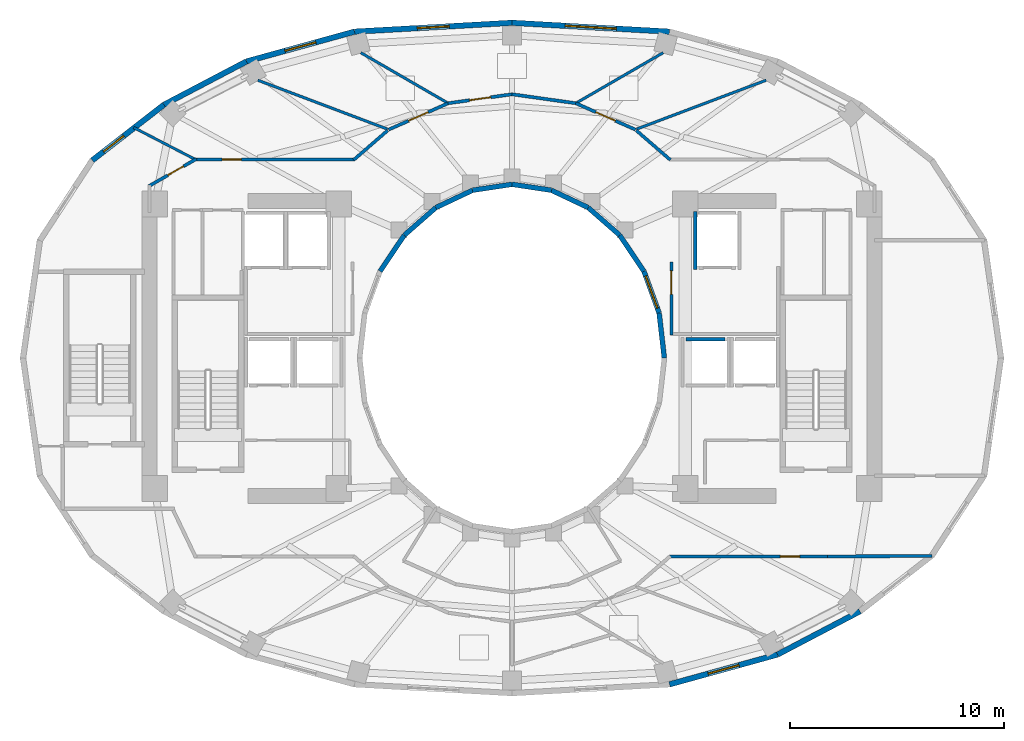
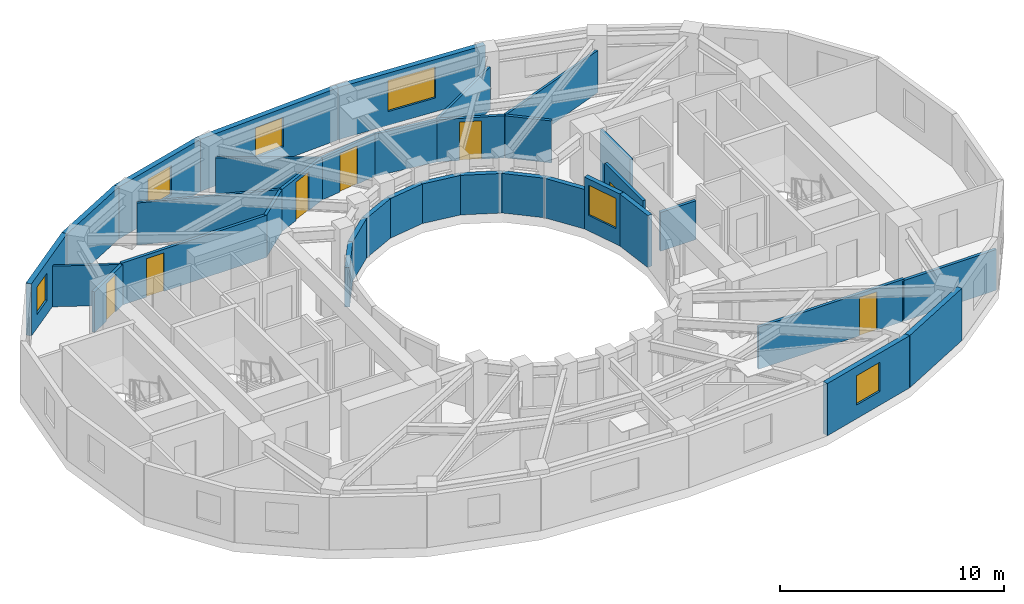
# One storey, part 5 of 9: 35 walls, 7 doors, 6 windows, 13 openings.
"""IFC4 building model written with IfcOpenShell, lengths in metres."""

import ifcopenshell
import ifcopenshell.guid

model = None  # the IFC model being written
_history = None  # IfcOwnerHistory: only IFC2X3 demands one
_inside = {}  # id of a spatial element -> (the spatial element, [elements in it])
_under = {}  # id of a project, library or spatial element -> (it, [spatial elements below it])
_declared = {}  # id of a project -> (the project, [libraries it declares])
_typed = {}  # id of a type object -> (the type object, [elements of that type])
_made_of = {}  # id of a material, layer set ... -> (it, [elements and type objects made of it])


def new_model(schema):
    """Start an empty IFC model of exactly this schema.

    Asked for "IFC4X3", IfcOpenShell would pick the latest addendum, in which some entities
    have other attributes; the version numbers below select the first issue.
    IFC2X3 requires an IfcOwnerHistory on every rooted entity: one is made here for all.
    """
    global model, _history
    if schema == "IFC4X3":
        model = ifcopenshell.file(schema_version=(4, 3, 0, 0))
    else:
        model = ifcopenshell.file(schema=schema)
    _inside.clear()
    _under.clear()
    _declared.clear()
    _typed.clear()
    _made_of.clear()
    _history = None
    if model.schema == "IFC2X3":
        org = make("IfcOrganization", Name="unknown")
        user = make(
            "IfcPersonAndOrganization",
            ThePerson=make("IfcPerson", FamilyName="unknown"),
            TheOrganization=org,
        )
        app = make(
            "IfcApplication",
            ApplicationDeveloper=org,
            Version="unknown",
            ApplicationFullName="unknown",
            ApplicationIdentifier="unknown",
        )
        _history = make(
            "IfcOwnerHistory",
            OwningUser=user,
            OwningApplication=app,
            ChangeAction="ADDED",
            CreationDate=0,
        )
    return model


def make(cls, **values):
    """One entity of the class cls with the attributes given. An attribute that is None is left unset."""
    return model.create_entity(
        cls, **{name: value for name, value in values.items() if value is not None}
    )


def rooted(cls, **values):
    """An entity with a GlobalId (a new one), such as an element, a storey or a relation."""
    return make(cls, GlobalId=ifcopenshell.guid.new(), OwnerHistory=_history, **values)


def si_unit(unit_type, name, prefix=None):
    """IfcSIUnit, for example si_unit("LENGTHUNIT", "METRE", prefix="MILLI")."""
    return make("IfcSIUnit", UnitType=unit_type, Prefix=prefix, Name=name)


def assignment(units):
    """IfcUnitAssignment: the units of a project."""
    return None if units is None else make("IfcUnitAssignment", Units=units)


def point(xyz):
    """IfcCartesianPoint."""
    return None if xyz is None else make("IfcCartesianPoint", Coordinates=xyz)


def direction(xyz):
    """IfcDirection."""
    return None if xyz is None else make("IfcDirection", DirectionRatios=xyz)


def frame(location, z_axis=None, x_axis=None):
    """IfcAxis2Placement3D, a coordinate frame: its origin and axes. An axis left out is left unset."""
    return make(
        "IfcAxis2Placement3D",
        Location=point(location),
        Axis=direction(z_axis),
        RefDirection=direction(x_axis),
    )


def frame_2d(location, x_axis=None):
    """IfcAxis2Placement2D, a coordinate frame in the plane: its origin and x axis."""
    return make(
        "IfcAxis2Placement2D", Location=point(location), RefDirection=direction(x_axis)
    )


def origin():
    """The frame at (0, 0, 0) with its axes left unset."""
    return frame((0.0, 0.0, 0.0))


def place(relative_to, where):
    """IfcLocalPlacement: puts the frame where relative to a parent placement (None: the world)."""
    return make(
        "IfcLocalPlacement", PlacementRelTo=relative_to, RelativePlacement=where
    )


def context(
    kind, dimensions, precision=None, world=None, true_north=None, identifier=None
):
    """IfcGeometricRepresentationContext, for example the 3D "Model" context."""
    return make(
        "IfcGeometricRepresentationContext",
        ContextIdentifier=identifier,
        ContextType=kind,
        CoordinateSpaceDimension=dimensions,
        Precision=precision,
        WorldCoordinateSystem=world,
        TrueNorth=true_north,
    )


def subcontext(parent, identifier, kind, view, scale=None):
    """IfcGeometricRepresentationSubContext, for example "Body" below "Model"."""
    return make(
        "IfcGeometricRepresentationSubContext",
        ContextIdentifier=identifier,
        ContextType=kind,
        ParentContext=parent,
        TargetScale=scale,
        TargetView=view,
    )


def project(units=None, contexts=None):
    """IfcProject with its units and contexts."""
    return rooted(
        "IfcProject",
        Name="project",
        RepresentationContexts=contexts,
        UnitsInContext=assignment(units),
    )


def spatial(cls, under=None, at=None, **own):
    """A site, building, storey or space (cls), placed at a placement, below another one or the project."""
    s = rooted(cls, ObjectPlacement=at, **own)
    if under is not None:
        _under.setdefault(under.id(), (under, []))[1].append(s)
    return s


def profile(cls, at=None, kind="AREA", **sizes):
    """A parametric profile (cls). Its sizes go by their IFC names, for example OverallWidth=200.0."""
    return make(cls, ProfileType=kind, Position=at, **sizes)


def rectangle(**sizes):
    """IfcRectangleProfileDef."""
    return profile("IfcRectangleProfileDef", **sizes)


def extrude(swept, where, along, depth):
    """IfcExtrudedAreaSolid: the profile swept, set in the frame where, extruded along a direction by depth."""
    return make(
        "IfcExtrudedAreaSolid",
        SweptArea=swept,
        Position=where,
        ExtrudedDirection=direction(along),
        Depth=depth,
    )


def shape(context_of_items, identifier, shape_type, items):
    """IfcShapeRepresentation: the items that make up one representation, for example the "Body"."""
    return make(
        "IfcShapeRepresentation",
        ContextOfItems=context_of_items,
        RepresentationIdentifier=identifier,
        RepresentationType=shape_type,
        Items=items,
    )


def material(Name=None, Category=None):
    """IfcMaterial."""
    return make("IfcMaterial", Name=Name, Category=Category)


def layer(
    of_material, thickness, ventilated=None, Name=None, Category=None, Priority=None
):
    """IfcMaterialLayer: one layer of a wall or slab, of a material (None: an air gap)."""
    return make(
        "IfcMaterialLayer",
        Material=of_material,
        LayerThickness=thickness,
        IsVentilated=ventilated,
        Name=Name,
        Category=Category,
        Priority=Priority,
    )


def layer_set(layers, Name=None):
    """IfcMaterialLayerSet."""
    return make("IfcMaterialLayerSet", MaterialLayers=layers, LayerSetName=Name)


def made_of(thing, what):
    """Note that an element or type object is made of a material, layer set ...; save() writes the relation."""
    if what is not None:
        _made_of.setdefault(what.id(), (what, []))[1].append(thing)
    return thing


def type_object(cls, material=None, **own):
    """A type object (cls), such as IfcWallType, which elements share."""
    return made_of(rooted(cls, **own), material)


def element(
    cls,
    number,
    at=None,
    inside=None,
    cuts=None,
    type_object=None,
    material=None,
    context=None,
    identifier="Body",
    shape_type=None,
    held_by="IfcProductDefinitionShape",
    body=None,
    shapes=None,
    **own,
):
    """One element of the class cls, such as IfcWall. Its Tag is "e" and its number.

    at: its placement. inside: the storey or other place that contains it. cuts: it is an
    opening in that element (IfcRelVoidsElement). A single representation is given by context,
    identifier, shape_type and body (its items); several are given by shapes. held_by: the class
    of the entity that holds the representations. save() writes the other relations.
    """
    e = rooted(cls, Tag="e%d" % number, ObjectPlacement=at, **own)
    if body is not None:
        shapes = [shape(context, identifier, shape_type, body)]
    if shapes is not None:
        e.Representation = make(held_by, Representations=shapes)
    if inside is not None:
        _inside.setdefault(inside.id(), (inside, []))[1].append(e)
    if cuts is not None:
        rooted(
            "IfcRelVoidsElement", RelatingBuildingElement=cuts, RelatedOpeningElement=e
        )
    if type_object is not None:
        _typed.setdefault(type_object.id(), (type_object, []))[1].append(e)
    return made_of(e, material)


def fill(opening, filler):
    """IfcRelFillsElement: the door or window that sits in an opening."""
    return rooted(
        "IfcRelFillsElement",
        RelatingOpeningElement=opening,
        RelatedBuildingElement=filler,
    )


def aggregate(whole, parts):
    """IfcRelAggregates: a whole, such as a stair, and the parts it consists of."""
    return rooted("IfcRelAggregates", RelatingObject=whole, RelatedObjects=parts)


def save(model, path):
    """Write the relations noted so far, then the file.

    IfcRelAggregates (storeys below a building ...), IfcRelContainedInSpatialStructure (elements
    in a storey), IfcRelDefinesByType, IfcRelAssociatesMaterial and IfcRelDeclares: one each for
    every whole, place, type object, material and project.
    """
    for whole, parts in _under.values():
        aggregate(whole, parts)
    for where, things in _inside.values():
        rooted(
            "IfcRelContainedInSpatialStructure",
            RelatedElements=things,
            RelatingStructure=where,
        )
    for kind, things in _typed.values():
        rooted("IfcRelDefinesByType", RelatedObjects=things, RelatingType=kind)
    for what, things in _made_of.values():
        rooted("IfcRelAssociatesMaterial", RelatedObjects=things, RelatingMaterial=what)
    for by, libraries in _declared.values():
        rooted("IfcRelDeclares", RelatingContext=by, RelatedDefinitions=libraries)
    model.write(path)


model = new_model("IFC4")

# Units and contexts
model_context = context("Model", 3, precision=1e-05, world=origin(), true_north=direction((0.0, 1.0)))
body_context = subcontext(model_context, "Body", "Model", "MODEL_VIEW")
ifc_project = project(units=[si_unit("LENGTHUNIT", "METRE"), si_unit("AREAUNIT", "SQUARE_METRE"), si_unit("VOLUMEUNIT", "CUBIC_METRE"), si_unit("PLANEANGLEUNIT", "RADIAN"), si_unit("MASSUNIT", "GRAM", prefix="KILO")], contexts=[model_context])

# Site, building, storey
site_placement = place(None, origin())
site = spatial("IfcSite", under=ifc_project, at=site_placement, CompositionType="ELEMENT")
building_placement = place(site_placement, origin())
building = spatial("IfcBuilding", under=site, at=building_placement, Name="Solvane Sanctuary Tower", CompositionType="ELEMENT")
storey_placement = place(building_placement, frame((0.0, 0.0, 162.199951171875)))
storey = spatial("IfcBuildingStorey", under=building, at=storey_placement, Name="L49", CompositionType="ELEMENT", Elevation=162.199951171875)

# Wall, opening, door
ifc_material_1 = material(Name="Acoustic Gypsum Partition Board")
ifc_layer_1 = layer(ifc_material_1, 0.14990234375, Name="Acoustic Gypsum Partition Board")
ifc_layer_set_1 = layer_set([ifc_layer_1], Name="Acoustic Gypsum Partition Board")
wall_type_1 = type_object("IfcWallType", Name="Wall W-CORR-150", PredefinedType="PARTITIONING", material=ifc_layer_set_1)
wall_1_placement = place(storey_placement, frame((39.449951171875, 24.080078125, 0.0), z_axis=(0.0, 0.0, 1.0), x_axis=(0.0, 1.0, 0.0)))
wall_1 = element("IfcWall", 1, at=wall_1_placement, inside=storey, type_object=wall_type_1, Name="L49 East Firefighting Lobby West Wall", PredefinedType="PARTITIONING", context=body_context, shape_type="SweptSolid", body=[
    extrude(rectangle(XDim=3.39990234375, YDim=0.14990234375, at=frame_2d((1.699951171875, 0.0))), origin(), (0.0, 0.0, 1.0), 2.85498046875),
])
opening_1_placement = place(wall_1_placement, frame((1.893798828125, 0.0, 0.0)))
opening_1 = element("IfcOpeningElement", 2, at=opening_1_placement, cuts=wall_1, Name="Opening D-L49-05", PredefinedType="OPENING", context=body_context, shape_type="SweptSolid", body=[
    extrude(rectangle(XDim=1.10009765625, YDim=2.10009765625, at=frame_2d((0.550048828125, 1.050048828125))), frame((0.0, 0.0849609375, 0.0), z_axis=(0.0, -1.0, 0.0), x_axis=(1.0, 0.0, 0.0)), (0.0, 0.0, 1.0), 0.169921875),
])
ifc_material_2 = material(Name="Architectural Stainless Steel 316", Category="steel")
door_type_1 = type_object("IfcDoorType", Name="Door D-FFL", OperationType="NOTDEFINED", PredefinedType="DOOR", material=ifc_material_2)
door_1_placement = place(opening_1_placement, origin())
door_1 = element("IfcDoor", 3, at=door_1_placement, inside=storey, type_object=door_type_1, Name="L49 East Firefighting Lobby Fire Door", OperationType="SINGLE_SWING_RIGHT", OverallHeight=2.10009765625, OverallWidth=1.10009765625, PredefinedType="DOOR", context=body_context, shape_type="SweptSolid", body=[
    extrude(rectangle(XDim=1.10009765625, YDim=2.10009765625, at=frame_2d((0.550048828125, 1.050048828125))), frame((0.0, 0.02490234375, 0.0), z_axis=(0.0, -1.0, 0.0), x_axis=(1.0, 0.0, 0.0)), (0.0, 0.0, 1.0), 0.050048828125),
])
fill(opening_1, door_1)

# Walls
for number, where, z_axis, x_axis, name in (
    (4, (37.806640625, 33.64208984375, 0.0), (0.0, 0.0, 1.0), (0.756055312247, -0.654507727092, 0.0), "L49 NE Corner Throat Wall"),
    (5, (26.193359375, 33.64208984375, 0.0), (0.0, 0.0, 1.0), (-0.756055312247, -0.654507727092, 0.0), "L49 NW Corner Throat Wall"),
):
    element("IfcWall", number, at=place(storey_placement, frame(where, z_axis=z_axis, x_axis=x_axis)), inside=storey, type_object=wall_type_1, Name=name, PredefinedType="PARTITIONING", context=body_context, shape_type="SweptSolid", body=[
        extrude(rectangle(XDim=2.11083984375, YDim=0.14990234375, at=frame_2d((1.055419921875, 0.0))), origin(), (0.0, 0.0, 1.0), 2.299072265625),
    ])

# Wall, opening, door
wall_2_placement = place(storey_placement, frame((17.14990234375, 32.280029296875, 0.0), z_axis=(0.0, 0.0, 1.0), x_axis=(1.0, 0.0, 0.0)))
wall_2 = element("IfcWall", 6, at=wall_2_placement, inside=storey, type_object=wall_type_1, Name="L49 NW Corner Corridor Wall", PredefinedType="PARTITIONING", context=body_context, shape_type="SweptSolid", body=[
    extrude(rectangle(XDim=7.52001953125, YDim=0.14990234375, at=frame_2d((3.760009765625, 0.0))), origin(), (0.0, 0.0, 1.0), 2.299072265625),
])
opening_2_placement = place(wall_2_placement, frame((1.300048828125, 0.0, 0.0)))
opening_2 = element("IfcOpeningElement", 7, at=opening_2_placement, cuts=wall_2, Name="Opening D-L49-14", PredefinedType="OPENING", context=body_context, shape_type="SweptSolid", body=[
    extrude(rectangle(XDim=0.89990234375, YDim=2.10009765625, at=frame_2d((0.449951171875, 1.050048828125))), frame((0.0, 0.0849609375, 0.0), z_axis=(0.0, -1.0, 0.0), x_axis=(1.0, 0.0, 0.0)), (0.0, 0.0, 1.0), 0.169921875),
])
ifc_material_3 = material(Name="Engineered Tropical Hardwood", Category="wood")
door_type_2 = type_object("IfcDoorType", Name="Door D-WET-900", OperationType="NOTDEFINED", PredefinedType="DOOR", material=ifc_material_3)
door_2_placement = place(opening_2_placement, origin())
door_2 = element("IfcDoor", 8, at=door_2_placement, inside=storey, type_object=door_type_2, Name="L49 NW Corner Salon Door", OperationType="SINGLE_SWING_LEFT", OverallHeight=2.10009765625, OverallWidth=0.89990234375, PredefinedType="DOOR", context=body_context, shape_type="SweptSolid", body=[
    extrude(rectangle(XDim=0.89990234375, YDim=2.10009765625, at=frame_2d((0.449951171875, 1.050048828125))), frame((0.0, 0.02490234375, 0.0), z_axis=(0.0, -1.0, 0.0), x_axis=(1.0, 0.0, 0.0)), (0.0, 0.0, 1.0), 0.050048828125),
])
fill(opening_2, door_2)

wall_3_placement = place(storey_placement, frame((17.243408203125, 32.3046875, 0.0), z_axis=(0.0, 0.0, 1.0), x_axis=(-0.867991349648, -0.496579315857, 0.0)))
wall_3 = element("IfcWall", 9, at=wall_3_placement, inside=storey, type_object=wall_type_1, Name="L49 NW Corner Wing Wall", PredefinedType="PARTITIONING", context=body_context, shape_type="SweptSolid", body=[
    extrude(rectangle(XDim=2.56689453125, YDim=0.14990234375, at=frame_2d((1.283447265625, 0.0))), origin(), (0.0, 0.0, 1.0), 2.219970703125),
])
opening_3_placement = place(wall_3_placement, frame((0.68798828125, 0.0, 0.0)))
opening_3 = element("IfcOpeningElement", 10, at=opening_3_placement, cuts=wall_3, Name="Opening D-L49-15", PredefinedType="OPENING", context=body_context, shape_type="SweptSolid", body=[
    extrude(rectangle(XDim=0.85009765625, YDim=2.050048828125, at=frame_2d((0.425048828125, 1.02490234375))), frame((0.0, 0.0849609375, 0.0), z_axis=(0.0, -1.0, 0.0), x_axis=(1.0, 0.0, 0.0)), (0.0, 0.0, 1.0), 0.169921875),
])
door_type_3 = type_object("IfcDoorType", Name="Door D-RISER", OperationType="NOTDEFINED", PredefinedType="DOOR", material=ifc_material_2)
door_3_placement = place(opening_3_placement, origin())
door_3 = element("IfcDoor", 11, at=door_3_placement, inside=storey, type_object=door_type_3, Name="L49 NW Corner Suite Door", OperationType="SINGLE_SWING_RIGHT", OverallHeight=2.050048828125, OverallWidth=0.85009765625, PredefinedType="DOOR", context=body_context, shape_type="SweptSolid", body=[
    extrude(rectangle(XDim=0.85009765625, YDim=2.050048828125, at=frame_2d((0.425048828125, 1.02490234375))), frame((0.0, 0.02490234375, 0.0), z_axis=(0.0, -1.0, 0.0), x_axis=(1.0, 0.0, 0.0)), (0.0, 0.0, 1.0), 0.050048828125),
])
fill(opening_3, door_3)

wall_4_placement = place(storey_placement, frame((39.330078125, 13.719970703125, 0.0), z_axis=(0.0, 0.0, 1.0), x_axis=(1.0, 0.0, 0.0)))
wall_4 = element("IfcWall", 12, at=wall_4_placement, inside=storey, type_object=wall_type_1, Name="L49 SE Corner Corridor Wall", PredefinedType="PARTITIONING", context=body_context, shape_type="SweptSolid", body=[
    extrude(rectangle(XDim=7.52001953125, YDim=0.14990234375, at=frame_2d((3.760009765625, 0.0))), origin(), (0.0, 0.0, 1.0), 2.299072265625),
])
opening_4_placement = place(wall_4_placement, frame((5.219970703125, 0.0, 0.0)))
opening_4 = element("IfcOpeningElement", 13, at=opening_4_placement, cuts=wall_4, Name="Opening D-L49-18", PredefinedType="OPENING", context=body_context, shape_type="SweptSolid", body=[
    extrude(rectangle(XDim=0.89990234375, YDim=2.10009765625, at=frame_2d((0.449951171875, 1.050048828125))), frame((0.0, 0.0849609375, 0.0), z_axis=(0.0, -1.0, 0.0), x_axis=(1.0, 0.0, 0.0)), (0.0, 0.0, 1.0), 0.169921875),
])
door_4_placement = place(opening_4_placement, origin())
door_4 = element("IfcDoor", 14, at=door_4_placement, inside=storey, type_object=door_type_2, Name="L49 SE Corner Salon Door", OperationType="SINGLE_SWING_LEFT", OverallHeight=2.10009765625, OverallWidth=0.89990234375, PredefinedType="DOOR", context=body_context, shape_type="SweptSolid", body=[
    extrude(rectangle(XDim=0.89990234375, YDim=2.10009765625, at=frame_2d((0.449951171875, 1.050048828125))), frame((0.0, 0.02490234375, 0.0), z_axis=(0.0, -1.0, 0.0), x_axis=(1.0, 0.0, 0.0)), (0.0, 0.0, 1.0), 0.050048828125),
])
fill(opening_4, door_4)

# Wall
wall_5_placement = place(storey_placement, frame((46.75, 13.7197265625, 0.0), z_axis=(0.0, 0.0, 1.0), x_axis=(0.999981712056, 0.006047772638, 0.0)))
element("IfcWall", 15, at=wall_5_placement, inside=storey, type_object=wall_type_1, Name="L49 SE Corner Wing Wall", PredefinedType="PARTITIONING", context=body_context, shape_type="SweptSolid", body=[
    extrude(rectangle(XDim=4.884521484375, YDim=0.14990234375, at=frame_2d((2.4423828125, 0.0))), origin(), (0.0, 0.0, 1.0), 2.219970703125),
])

# Wall, opening, door
wall_6_placement = place(storey_placement, frame((37.77197265625, 33.673828125, 0.0), z_axis=(0.0, 0.0, 1.0), x_axis=(-0.914324470734, 0.404982422108, 0.0)))
wall_6 = element("IfcWall", 16, at=wall_6_placement, inside=storey, type_object=wall_type_1, Name="L49 Unit Corridor Wall N1", PredefinedType="PARTITIONING", context=body_context, shape_type="SweptSolid", body=[
    extrude(rectangle(XDim=3.0576171875, YDim=0.14990234375, at=frame_2d((1.52880859375, 0.0))), origin(), (0.0, 0.0, 1.0), 2.299072265625),
])
opening_5_placement = place(wall_6_placement, frame((1.02880859375, 0.0, 0.0)))
opening_5 = element("IfcOpeningElement", 17, at=opening_5_placement, cuts=wall_6, Name="Opening D-L49-20", PredefinedType="OPENING", context=body_context, shape_type="SweptSolid", body=[
    extrude(rectangle(XDim=1.0, YDim=2.10009765625, at=frame_2d((0.5, 1.050048828125))), frame((0.0, 0.0849609375, 0.0), z_axis=(0.0, -1.0, 0.0), x_axis=(1.0, 0.0, 0.0)), (0.0, 0.0, 1.0), 0.169921875),
])
door_type_4 = type_object("IfcDoorType", Name="Door D-UNIT", OperationType="NOTDEFINED", PredefinedType="DOOR", material=ifc_material_3)
door_5_placement = place(opening_5_placement, origin())
door_5 = element("IfcDoor", 18, at=door_5_placement, inside=storey, type_object=door_type_4, Name="L49 Unit Entrance Door N1", OperationType="SINGLE_SWING_LEFT", OverallHeight=2.10009765625, OverallWidth=1.0, PredefinedType="DOOR", context=body_context, shape_type="SweptSolid", body=[
    extrude(rectangle(XDim=1.0, YDim=2.10009765625, at=frame_2d((0.5, 1.050048828125))), frame((0.0, 0.02490234375, 0.0), z_axis=(0.0, -1.0, 0.0), x_axis=(1.0, 0.0, 0.0)), (0.0, 0.0, 1.0), 0.050048828125),
])
fill(opening_5, door_5)

# Wall
wall_7_placement = place(storey_placement, frame((34.991943359375, 34.90771484375, 0.0), z_axis=(0.0, 0.0, 1.0), x_axis=(-0.990234341072, 0.139412875167, 0.0)))
element("IfcWall", 19, at=wall_7_placement, inside=storey, type_object=wall_type_1, Name="L49 Unit Corridor Wall N2", PredefinedType="PARTITIONING", context=body_context, shape_type="SweptSolid", body=[
    extrude(rectangle(XDim=3.029541015625, YDim=0.14990234375, at=frame_2d((1.5146484375, 0.0))), origin(), (0.0, 0.0, 1.0), 2.299072265625),
])

# Wall, opening, door
wall_8_placement = place(storey_placement, frame((32.008056640625, 35.330078125, 0.0), z_axis=(0.0, 0.0, 1.0), x_axis=(-0.990234341072, -0.139412875167, 0.0)))
wall_8 = element("IfcWall", 20, at=wall_8_placement, inside=storey, type_object=wall_type_1, Name="L49 Unit Corridor Wall N2", PredefinedType="PARTITIONING", context=body_context, shape_type="SweptSolid", body=[
    extrude(rectangle(XDim=3.029541015625, YDim=0.14990234375, at=frame_2d((1.5146484375, 0.0))), origin(), (0.0, 0.0, 1.0), 2.299072265625),
])
opening_6_placement = place(wall_8_placement, frame((1.014892578125, 0.0, 0.0)))
opening_6 = element("IfcOpeningElement", 21, at=opening_6_placement, cuts=wall_8, Name="Opening D-L49-21", PredefinedType="OPENING", context=body_context, shape_type="SweptSolid", body=[
    extrude(rectangle(XDim=1.0, YDim=2.10009765625, at=frame_2d((0.5, 1.050048828125))), frame((0.0, 0.0849609375, 0.0), z_axis=(0.0, -1.0, 0.0), x_axis=(1.0, 0.0, 0.0)), (0.0, 0.0, 1.0), 0.169921875),
])
door_6_placement = place(opening_6_placement, origin())
door_6 = element("IfcDoor", 22, at=door_6_placement, inside=storey, type_object=door_type_4, Name="L49 Unit Entrance Door N2", OperationType="SINGLE_SWING_RIGHT", OverallHeight=2.10009765625, OverallWidth=1.0, PredefinedType="DOOR", context=body_context, shape_type="SweptSolid", body=[
    extrude(rectangle(XDim=1.0, YDim=2.10009765625, at=frame_2d((0.5, 1.050048828125))), frame((0.0, 0.02490234375, 0.0), z_axis=(0.0, -1.0, 0.0), x_axis=(1.0, 0.0, 0.0)), (0.0, 0.0, 1.0), 0.050048828125),
])
fill(opening_6, door_6)

wall_9_placement = place(storey_placement, frame((29.023681640625, 34.912109375, 0.0), z_axis=(0.0, 0.0, 1.0), x_axis=(-0.914324470734, -0.404982422108, 0.0)))
wall_9 = element("IfcWall", 23, at=wall_9_placement, inside=storey, type_object=wall_type_1, Name="L49 Unit Corridor Wall N3", PredefinedType="PARTITIONING", context=body_context, shape_type="SweptSolid", body=[
    extrude(rectangle(XDim=3.0576171875, YDim=0.14990234375, at=frame_2d((1.52880859375, 0.0))), origin(), (0.0, 0.0, 1.0), 2.299072265625),
])
opening_7_placement = place(wall_9_placement, frame((1.02880859375, 0.0, 0.0)))
opening_7 = element("IfcOpeningElement", 24, at=opening_7_placement, cuts=wall_9, Name="Opening D-L49-22", PredefinedType="OPENING", context=body_context, shape_type="SweptSolid", body=[
    extrude(rectangle(XDim=1.0, YDim=2.10009765625, at=frame_2d((0.5, 1.050048828125))), frame((0.0, 0.0849609375, 0.0), z_axis=(0.0, -1.0, 0.0), x_axis=(1.0, 0.0, 0.0)), (0.0, 0.0, 1.0), 0.169921875),
])
door_7_placement = place(opening_7_placement, origin())
door_7 = element("IfcDoor", 25, at=door_7_placement, inside=storey, type_object=door_type_4, Name="L49 Unit Entrance Door N3", OperationType="SINGLE_SWING_LEFT", OverallHeight=2.10009765625, OverallWidth=1.0, PredefinedType="DOOR", context=body_context, shape_type="SweptSolid", body=[
    extrude(rectangle(XDim=1.0, YDim=2.10009765625, at=frame_2d((0.5, 1.050048828125))), frame((0.0, 0.02490234375, 0.0), z_axis=(0.0, -1.0, 0.0), x_axis=(1.0, 0.0, 0.0)), (0.0, 0.0, 1.0), 0.050048828125),
])
fill(opening_7, door_7)

# Wall, opening, window
ifc_material_4 = material(Name="Precast concrete C40/50", Category="concrete")
ifc_layer_2 = layer(ifc_material_4, 0.260009765625, Name="Precast concrete C40/50")
ifc_layer_set_2 = layer_set([ifc_layer_2], Name="Precast concrete C40/50")
wall_type_2 = type_object("IfcWallType", Name="Wall W-EXT-250", PredefinedType="STANDARD", material=ifc_layer_set_2)
wall_10_placement = place(storey_placement, frame((39.365234375, 38.256591796875, 0.0), z_axis=(0.0, 0.0, 1.0), x_axis=(-0.998417906562, 0.056228852534, 0.0)))
wall_10 = element("IfcWall", 26, at=wall_10_placement, inside=storey, type_object=wall_type_2, Name="L49 Ceramic-Printed Facade Wall 05", PredefinedType="STANDARD", context=body_context, shape_type="SweptSolid", body=[
    extrude(rectangle(XDim=7.376953125, YDim=0.260009765625, at=frame_2d((3.6884765625, 0.0))), origin(), (0.0, 0.0, 1.0), 2.85009765625),
])
opening_8_placement = place(wall_10_placement, frame((2.48828125, 0.0, 0.75)))
opening_8 = element("IfcOpeningElement", 27, at=opening_8_placement, cuts=wall_10, Name="Opening WN-RIB-2400", PredefinedType="OPENING", context=body_context, shape_type="SweptSolid", body=[
    extrude(rectangle(XDim=2.39990234375, YDim=1.699951171875, at=frame_2d((1.199951171875, 0.85009765625))), frame((0.0, 0.139892578125, 0.0), z_axis=(0.0, -1.0, 0.0), x_axis=(1.0, 0.0, 0.0)), (0.0, 0.0, 1.0), 0.280029296875),
])
ifc_material_5 = material(Name="Dark Ceramic-Fritted Low-E Glass", Category="glass")
window_type_1 = type_object("IfcWindowType", Name="Window WN-RIB-2400", PartitioningType="SINGLE_PANEL", PredefinedType="WINDOW", material=ifc_material_5)
window_1_placement = place(opening_8_placement, origin())
window_1 = element("IfcWindow", 28, at=window_1_placement, inside=storey, type_object=window_type_1, Name="L49 Operable Facade Window 05", OverallHeight=1.699951171875, OverallWidth=2.39990234375, PartitioningType="SINGLE_PANEL", PredefinedType="WINDOW", context=body_context, shape_type="SweptSolid", body=[
    extrude(rectangle(XDim=2.39990234375, YDim=1.699951171875, at=frame_2d((1.199951171875, 0.85009765625))), frame((0.0, 0.030029296875, 0.0), z_axis=(0.0, -1.0, 0.0), x_axis=(1.0, 0.0, 0.0)), (0.0, 0.0, 1.0), 0.06005859375),
])
fill(opening_8, window_1)

wall_11_placement = place(storey_placement, frame((32.0, 38.67138671875, 0.0), z_axis=(0.0, 0.0, 1.0), x_axis=(-0.998417906562, -0.056228852534, 0.0)))
wall_11 = element("IfcWall", 29, at=wall_11_placement, inside=storey, type_object=wall_type_2, Name="L49 Ceramic-Printed Facade Wall 06", PredefinedType="STANDARD", context=body_context, shape_type="SweptSolid", body=[
    extrude(rectangle(XDim=7.376953125, YDim=0.260009765625, at=frame_2d((3.6884765625, 0.0))), origin(), (0.0, 0.0, 1.0), 2.85009765625),
])
opening_9_placement = place(wall_11_placement, frame((2.9384765625, 0.0, 0.75)))
opening_9 = element("IfcOpeningElement", 30, at=opening_9_placement, cuts=wall_11, Name="Opening WN-OPER-1500", PredefinedType="OPENING", context=body_context, shape_type="SweptSolid", body=[
    extrude(rectangle(XDim=1.5, YDim=1.60009765625, at=frame_2d((0.75, 0.800048828125))), frame((0.0, 0.139892578125, 0.0), z_axis=(0.0, -1.0, 0.0), x_axis=(1.0, 0.0, 0.0)), (0.0, 0.0, 1.0), 0.280029296875),
])
window_type_2 = type_object("IfcWindowType", Name="Window WN-OPER-1500", PartitioningType="SINGLE_PANEL", PredefinedType="WINDOW", material=ifc_material_5)
window_2_placement = place(opening_9_placement, origin())
window_2 = element("IfcWindow", 31, at=window_2_placement, inside=storey, type_object=window_type_2, Name="L49 Operable Facade Window 06", OverallHeight=1.60009765625, OverallWidth=1.5, PartitioningType="SINGLE_PANEL", PredefinedType="WINDOW", context=body_context, shape_type="SweptSolid", body=[
    extrude(rectangle(XDim=1.5, YDim=1.60009765625, at=frame_2d((0.75, 0.800048828125))), frame((0.0, 0.030029296875, 0.0), z_axis=(0.0, -1.0, 0.0), x_axis=(1.0, 0.0, 0.0)), (0.0, 0.0, 1.0), 0.06005859375),
])
fill(opening_9, window_2)

wall_12_placement = place(storey_placement, frame((24.634765625, 38.256591796875, 0.0), z_axis=(0.0, 0.0, 1.0), x_axis=(-0.963953455704, -0.26607092144, 0.0)))
wall_12 = element("IfcWall", 32, at=wall_12_placement, inside=storey, type_object=wall_type_2, Name="L49 Ceramic-Printed Facade Wall 07", PredefinedType="STANDARD", context=body_context, shape_type="SweptSolid", body=[
    extrude(rectangle(XDim=5.236572265625, YDim=0.260009765625, at=frame_2d((2.6181640625, 0.0))), origin(), (0.0, 0.0, 1.0), 2.85009765625),
])
opening_10_placement = place(wall_12_placement, frame((1.868408203125, 0.0, 0.75)))
opening_10 = element("IfcOpeningElement", 33, at=opening_10_placement, cuts=wall_12, Name="Opening WN-OPER-1500", PredefinedType="OPENING", context=body_context, shape_type="SweptSolid", body=[
    extrude(rectangle(XDim=1.5, YDim=1.60009765625, at=frame_2d((0.75, 0.800048828125))), frame((0.0, 0.139892578125, 0.0), z_axis=(0.0, -1.0, 0.0), x_axis=(1.0, 0.0, 0.0)), (0.0, 0.0, 1.0), 0.280029296875),
])
window_3_placement = place(opening_10_placement, origin())
window_3 = element("IfcWindow", 34, at=window_3_placement, inside=storey, type_object=window_type_2, Name="L49 Operable Facade Window 07", OverallHeight=1.60009765625, OverallWidth=1.5, PartitioningType="SINGLE_PANEL", PredefinedType="WINDOW", context=body_context, shape_type="SweptSolid", body=[
    extrude(rectangle(XDim=1.5, YDim=1.60009765625, at=frame_2d((0.75, 0.800048828125))), frame((0.0, 0.030029296875, 0.0), z_axis=(0.0, -1.0, 0.0), x_axis=(1.0, 0.0, 0.0)), (0.0, 0.0, 1.0), 0.06005859375),
])
fill(opening_10, window_3)

# Wall
wall_13_placement = place(storey_placement, frame((19.5869140625, 36.86328125, 0.0), z_axis=(0.0, 0.0, 1.0), x_axis=(-0.885660265226, -0.464333818065, 0.0)))
element("IfcWall", 35, at=wall_13_placement, inside=storey, type_object=wall_type_2, Name="L49 Ceramic-Printed Facade Wall 08", PredefinedType="STANDARD", context=body_context, shape_type="SweptSolid", body=[
    extrude(rectangle(XDim=4.35400390625, YDim=0.260009765625, at=frame_2d((2.177001953125, 0.0))), origin(), (0.0, 0.0, 1.0), 2.85009765625),
])

# Wall, opening, window
wall_14_placement = place(storey_placement, frame((15.730712890625, 34.841552734375, 0.0), z_axis=(0.0, 0.0, 1.0), x_axis=(-0.790185650662, -0.612867552973, 0.0)))
wall_14 = element("IfcWall", 36, at=wall_14_placement, inside=storey, type_object=wall_type_2, Name="L49 Ceramic-Printed Facade Wall 09", PredefinedType="STANDARD", context=body_context, shape_type="SweptSolid", body=[
    extrude(rectangle(XDim=4.2392578125, YDim=0.260009765625, at=frame_2d((2.11962890625, 0.0))), origin(), (0.0, 0.0, 1.0), 2.85009765625),
])
opening_11_placement = place(wall_14_placement, frame((2.37548828125, 0.0, 0.75)))
opening_11 = element("IfcOpeningElement", 37, at=opening_11_placement, cuts=wall_14, Name="Opening WN-OPER-1200", PredefinedType="OPENING", context=body_context, shape_type="SweptSolid", body=[
    extrude(rectangle(XDim=1.199951171875, YDim=1.5, at=frame_2d((0.60009765625, 0.75))), frame((0.0, 0.139892578125, 0.0), z_axis=(0.0, -1.0, 0.0), x_axis=(1.0, 0.0, 0.0)), (0.0, 0.0, 1.0), 0.280029296875),
])
window_type_3 = type_object("IfcWindowType", Name="Window WN-OPER-1200", PartitioningType="SINGLE_PANEL", PredefinedType="WINDOW", material=ifc_material_5)
window_4_placement = place(opening_11_placement, origin())
window_4 = element("IfcWindow", 38, at=window_4_placement, inside=storey, type_object=window_type_3, Name="L49 Operable Facade Window 09", OverallHeight=1.5, OverallWidth=1.199951171875, PartitioningType="SINGLE_PANEL", PredefinedType="WINDOW", context=body_context, shape_type="SweptSolid", body=[
    extrude(rectangle(XDim=1.199951171875, YDim=1.5, at=frame_2d((0.60009765625, 0.75))), frame((0.0, 0.030029296875, 0.0), z_axis=(0.0, -1.0, 0.0), x_axis=(1.0, 0.0, 0.0)), (0.0, 0.0, 1.0), 0.06005859375),
])
fill(opening_11, window_4)

wall_15_placement = place(storey_placement, frame((39.365234375, 7.743408203125, 0.0), z_axis=(0.0, 0.0, 1.0), x_axis=(0.963953455704, 0.26607092144, 0.0)))
wall_15 = element("IfcWall", 39, at=wall_15_placement, inside=storey, type_object=wall_type_2, Name="L49 Ceramic-Printed Facade Wall 19", PredefinedType="STANDARD", context=body_context, shape_type="SweptSolid", body=[
    extrude(rectangle(XDim=5.236572265625, YDim=0.260009765625, at=frame_2d((2.6181640625, 0.0))), origin(), (0.0, 0.0, 1.0), 2.85009765625),
])
opening_12_placement = place(wall_15_placement, frame((1.868408203125, 0.0, 0.75)))
opening_12 = element("IfcOpeningElement", 40, at=opening_12_placement, cuts=wall_15, Name="Opening WN-OPER-1500", PredefinedType="OPENING", context=body_context, shape_type="SweptSolid", body=[
    extrude(rectangle(XDim=1.5, YDim=1.60009765625, at=frame_2d((0.75, 0.800048828125))), frame((0.0, 0.139892578125, 0.0), z_axis=(0.0, -1.0, 0.0), x_axis=(1.0, 0.0, 0.0)), (0.0, 0.0, 1.0), 0.280029296875),
])
window_5_placement = place(opening_12_placement, origin())
window_5 = element("IfcWindow", 41, at=window_5_placement, inside=storey, type_object=window_type_2, Name="L49 Operable Facade Window 19", OverallHeight=1.60009765625, OverallWidth=1.5, PartitioningType="SINGLE_PANEL", PredefinedType="WINDOW", context=body_context, shape_type="SweptSolid", body=[
    extrude(rectangle(XDim=1.5, YDim=1.60009765625, at=frame_2d((0.75, 0.800048828125))), frame((0.0, 0.030029296875, 0.0), z_axis=(0.0, -1.0, 0.0), x_axis=(1.0, 0.0, 0.0)), (0.0, 0.0, 1.0), 0.06005859375),
])
fill(opening_12, window_5)

# Walls
wall_16_placement = place(storey_placement, frame((44.4130859375, 9.13671875, 0.0), z_axis=(0.0, 0.0, 1.0), x_axis=(0.885660265226, 0.464333818065, 0.0)))
element("IfcWall", 42, at=wall_16_placement, inside=storey, type_object=wall_type_2, Name="L49 Ceramic-Printed Facade Wall 20", PredefinedType="STANDARD", context=body_context, shape_type="SweptSolid", body=[
    extrude(rectangle(XDim=4.35400390625, YDim=0.260009765625, at=frame_2d((2.177001953125, 0.0))), origin(), (0.0, 0.0, 1.0), 2.85009765625),
])
ifc_layer_3 = layer(ifc_material_4, 0.22998046875, Name="Precast concrete C40/50")
ifc_layer_set_3 = layer_set([ifc_layer_3], Name="Precast concrete C40/50")
wall_type_3 = type_object("IfcWallType", Name="Wall W-EXT-SP220", PredefinedType="STANDARD", material=ifc_layer_set_3)
wall_17_placement = place(storey_placement, frame((39.1201171875, 23.0, 0.0), z_axis=(0.0, 0.0, 1.0), x_axis=(-0.114711713601, 0.993398823617, 0.0)))
element("IfcWall", 43, at=wall_17_placement, inside=storey, type_object=wall_type_3, Name="L49 Central Light-Well Wall 00", PredefinedType="STANDARD", context=body_context, shape_type="SweptSolid", body=[
    extrude(rectangle(XDim=2.115478515625, YDim=0.22998046875, at=frame_2d((1.0576171875, 0.0))), origin(), (0.0, 0.0, 1.0), 2.840087890625),
])

# Wall, opening, window
wall_18_placement = place(storey_placement, frame((38.87744140625, 25.1015625, 0.0), z_axis=(0.0, 0.0, 1.0), x_axis=(-0.341423187295, 0.93990968033, 0.0)))
wall_18 = element("IfcWall", 44, at=wall_18_placement, inside=storey, type_object=wall_type_3, Name="L49 Central Light-Well Wall 01", PredefinedType="STANDARD", context=body_context, shape_type="SweptSolid", body=[
    extrude(rectangle(XDim=2.083740234375, YDim=0.22998046875, at=frame_2d((1.0419921875, 0.0))), origin(), (0.0, 0.0, 1.0), 2.840087890625),
])
opening_13_placement = place(wall_18_placement, frame((0.24169921875, 0.0, 0.85009765625)))
opening_13 = element("IfcOpeningElement", 45, at=opening_13_placement, cuts=wall_18, Name="Opening WN-WELL-1600", PredefinedType="OPENING", context=body_context, shape_type="SweptSolid", body=[
    extrude(rectangle(XDim=1.60009765625, YDim=1.64990234375, at=frame_2d((0.800048828125, 0.824951171875))), frame((0.0, 0.125, 0.0), z_axis=(0.0, -1.0, 0.0), x_axis=(1.0, 0.0, 0.0)), (0.0, 0.0, 1.0), 0.25),
])
ifc_material_6 = material(Name="Clear Laminated Light-Well Glass", Category="glass")
window_type_4 = type_object("IfcWindowType", Name="Window WN-WELL-1600", PartitioningType="SINGLE_PANEL", PredefinedType="WINDOW", material=ifc_material_6)
window_6_placement = place(opening_13_placement, origin())
window_6 = element("IfcWindow", 46, at=window_6_placement, inside=storey, type_object=window_type_4, Name="L49 Light-Well Daylight Window 01", OverallHeight=1.64990234375, OverallWidth=1.60009765625, PartitioningType="SINGLE_PANEL", PredefinedType="WINDOW", context=body_context, shape_type="SweptSolid", body=[
    extrude(rectangle(XDim=1.60009765625, YDim=1.64990234375, at=frame_2d((0.800048828125, 0.824951171875))), frame((0.0, 0.030029296875, 0.0), z_axis=(0.0, -1.0, 0.0), x_axis=(1.0, 0.0, 0.0)), (0.0, 0.0, 1.0), 0.06005859375),
])
fill(opening_13, window_6)

# Walls
wall_19_placement = place(storey_placement, frame((38.166015625, 27.06005859375, 0.0), z_axis=(0.0, 0.0, 1.0), x_axis=(-0.558197800898, 0.829707909492, 0.0)))
element("IfcWall", 47, at=wall_19_placement, inside=storey, type_object=wall_type_3, Name="L49 Central Light-Well Wall 02", PredefinedType="STANDARD", context=body_context, shape_type="SweptSolid", body=[
    extrude(rectangle(XDim=2.02685546875, YDim=0.22998046875, at=frame_2d((1.013427734375, 0.0))), origin(), (0.0, 0.0, 1.0), 2.16015625),
])
wall_20_placement = place(storey_placement, frame((37.03466796875, 28.74169921875, 0.0), z_axis=(0.0, 0.0, 1.0), x_axis=(-0.752576694707, 0.658504607869, 0.0)))
element("IfcWall", 48, at=wall_20_placement, inside=storey, type_object=wall_type_3, Name="L49 Central Light-Well Wall 03", PredefinedType="STANDARD", context=body_context, shape_type="SweptSolid", body=[
    extrude(rectangle(XDim=1.95947265625, YDim=0.22998046875, at=frame_2d((0.979736328125, 0.0))), origin(), (0.0, 0.0, 1.0), 2.16015625),
])
wall_21_placement = place(storey_placement, frame((35.56005859375, 30.031982421875, 0.0), z_axis=(0.0, 0.0, 1.0), x_axis=(-0.904179699603, 0.427152280606, 0.0)))
element("IfcWall", 49, at=wall_21_placement, inside=storey, type_object=wall_type_3, Name="L49 Central Light-Well Wall 04", PredefinedType="STANDARD", context=body_context, shape_type="SweptSolid", body=[
    extrude(rectangle(XDim=1.899169921875, YDim=0.22998046875, at=frame_2d((0.94970703125, 0.0))), origin(), (0.0, 0.0, 1.0), 2.16015625),
])
for number, where, z_axis, x_axis, name in (
    (50, (33.8427734375, 30.84326171875, 0.0), (0.0, 0.0, 1.0), (-0.988901730308, 0.148571086668, 0.0), "L49 Central Light-Well Wall 05"),
    (51, (32.0, 31.1201171875, 0.0), (0.0, 0.0, 1.0), (-0.988901730308, -0.148571086668, 0.0), "L49 Central Light-Well Wall 06"),
):
    element("IfcWall", number, at=place(storey_placement, frame(where, z_axis=z_axis, x_axis=x_axis)), inside=storey, type_object=wall_type_3, Name=name, PredefinedType="STANDARD", context=body_context, shape_type="SweptSolid", body=[
        extrude(rectangle(XDim=1.863525390625, YDim=0.22998046875, at=frame_2d((0.931640625, 0.0))), origin(), (0.0, 0.0, 1.0), 2.16015625),
    ])
wall_22_placement = place(storey_placement, frame((30.1572265625, 30.84326171875, 0.0), z_axis=(0.0, 0.0, 1.0), x_axis=(-0.904179699603, -0.427152280606, 0.0)))
element("IfcWall", 52, at=wall_22_placement, inside=storey, type_object=wall_type_3, Name="L49 Central Light-Well Wall 07", PredefinedType="STANDARD", context=body_context, shape_type="SweptSolid", body=[
    extrude(rectangle(XDim=1.899169921875, YDim=0.22998046875, at=frame_2d((0.94970703125, 0.0))), origin(), (0.0, 0.0, 1.0), 2.16015625),
])
wall_23_placement = place(storey_placement, frame((28.43994140625, 30.031982421875, 0.0), z_axis=(0.0, 0.0, 1.0), x_axis=(-0.752576694707, -0.658504607869, 0.0)))
element("IfcWall", 53, at=wall_23_placement, inside=storey, type_object=wall_type_3, Name="L49 Central Light-Well Wall 08", PredefinedType="STANDARD", context=body_context, shape_type="SweptSolid", body=[
    extrude(rectangle(XDim=1.95947265625, YDim=0.22998046875, at=frame_2d((0.979736328125, 0.0))), origin(), (0.0, 0.0, 1.0), 2.16015625),
])
wall_24_placement = place(storey_placement, frame((26.96533203125, 28.74169921875, 0.0), z_axis=(0.0, 0.0, 1.0), x_axis=(-0.558197800898, -0.829707909492, 0.0)))
element("IfcWall", 54, at=wall_24_placement, inside=storey, type_object=wall_type_3, Name="L49 Central Light-Well Wall 09", PredefinedType="STANDARD", context=body_context, shape_type="SweptSolid", body=[
    extrude(rectangle(XDim=2.02685546875, YDim=0.22998046875, at=frame_2d((1.013427734375, 0.0))), origin(), (0.0, 0.0, 1.0), 2.16015625),
])
ifc_layer_4 = layer(ifc_material_1, 0.1201171875, Name="Acoustic Gypsum Partition Board")
ifc_layer_set_4 = layer_set([ifc_layer_4], Name="Acoustic Gypsum Partition Board")
wall_type_4 = type_object("IfcWallType", Name="Wall W-MOV-100", PredefinedType="MOVABLE", material=ifc_layer_set_4)
wall_25_placement = place(storey_placement, frame((17.244384765625, 32.257080078125, 0.0), z_axis=(0.0, 0.0, 1.0), x_axis=(-0.888000886587, 0.459841739537, 0.0)))
element("IfcWall", 55, at=wall_25_placement, inside=storey, type_object=wall_type_4, Name="L49 NW Corner Suite Partition", PredefinedType="MOVABLE", context=body_context, shape_type="SweptSolid", body=[
    extrude(rectangle(XDim=3.298095703125, YDim=0.1201171875, at=frame_2d((1.64892578125, 0.0))), origin(), (0.0, 0.0, 1.0), 2.219970703125),
])
ifc_layer_5 = layer(ifc_material_1, 0.125, Name="Acoustic Gypsum Partition Board")
ifc_layer_set_5 = layer_set([ifc_layer_5], Name="Acoustic Gypsum Partition Board")
wall_type_5 = type_object("IfcWallType", Name="Wall W-PART-125", PredefinedType="PARTITIONING", material=ifc_layer_set_5)
wall_26_placement = place(storey_placement, frame((37.81640625, 33.697509765625, 0.0), z_axis=(0.0, 0.0, 1.0), x_axis=(0.935601484289, 0.353057874288, 0.0)))
element("IfcWall", 56, at=wall_26_placement, inside=storey, type_object=wall_type_5, Name="L49 Radial Compartment Wall 060", PredefinedType="PARTITIONING", context=body_context, shape_type="SweptSolid", body=[
    extrude(rectangle(XDim=6.484130859375, YDim=0.125, at=frame_2d((3.2421875, 0.0))), origin(), (0.0, 0.0, 1.0), 2.299072265625),
])
for number, where, z_axis, x_axis, name in (
    (57, (35.03173828125, 34.9375, 0.0), (0.0, 0.0, 1.0), (0.865627016774, 0.500689392568, 0.0), "L49 Radial Compartment Wall 075"),
    (58, (28.96826171875, 34.9375, 0.0), (0.0, 0.0, 1.0), (-0.865627016774, 0.500689392568, 0.0), "L49 Radial Compartment Wall 105"),
):
    element("IfcWall", number, at=place(storey_placement, frame(where, z_axis=z_axis, x_axis=x_axis)), inside=storey, type_object=wall_type_5, Name=name, PredefinedType="PARTITIONING", context=body_context, shape_type="SweptSolid", body=[
        extrude(rectangle(XDim=4.66162109375, YDim=0.125, at=frame_2d((2.330810546875, 0.0))), origin(), (0.0, 0.0, 1.0), 2.299072265625),
    ])
wall_27_placement = place(storey_placement, frame((26.18359375, 33.697509765625, 0.0), z_axis=(0.0, 0.0, 1.0), x_axis=(-0.935601484289, 0.353057874288, 0.0)))
element("IfcWall", 59, at=wall_27_placement, inside=storey, type_object=wall_type_5, Name="L49 Radial Compartment Wall 120", PredefinedType="PARTITIONING", context=body_context, shape_type="SweptSolid", body=[
    extrude(rectangle(XDim=6.484130859375, YDim=0.125, at=frame_2d((3.2421875, 0.0))), origin(), (0.0, 0.0, 1.0), 2.299072265625),
])
ifc_material_7 = material(Name="Concrete C50/60", Category="concrete")
ifc_layer_6 = layer(ifc_material_7, 0.14990234375, Name="Concrete C50/60")
ifc_layer_set_6 = layer_set([ifc_layer_6], Name="Concrete C50/60")
wall_type_6 = type_object("IfcWallType", Name="Wall W-SHAFT-150", PredefinedType="SOLIDWALL", material=ifc_layer_set_6)
wall_28_placement = place(storey_placement, frame((40.139892578125, 23.8798828125, 0.0), z_axis=(0.0, 0.0, 1.0), x_axis=(1.0, 0.0, 0.0)))
element("IfcWall", 60, at=wall_28_placement, inside=storey, type_object=wall_type_6, Name="L49 PH-2 Lift Shaft Wall B", PredefinedType="SOLIDWALL", context=body_context, shape_type="SweptSolid", body=[
    extrude(rectangle(XDim=1.820068359375, YDim=0.14990234375, at=frame_2d((0.91015625, 0.0))), origin(), (0.0, 0.0, 1.0), 2.1201171875),
])
wall_29_placement = place(storey_placement, frame((40.570068359375, 27.139892578125, 0.0), z_axis=(0.0, 0.0, 1.0), x_axis=(0.0, 1.0, 0.0)))
element("IfcWall", 61, at=wall_29_placement, inside=storey, type_object=wall_type_6, Name="L49 FFL-2 Lift Shaft Wall S1", PredefinedType="SOLIDWALL", context=body_context, shape_type="SweptSolid", body=[
    extrude(rectangle(XDim=2.72021484375, YDim=0.14990234375, at=frame_2d((1.360107421875, 0.0))), origin(), (0.0, 0.0, 1.0), 2.85498046875),
])

save(model, "model.ifc")
